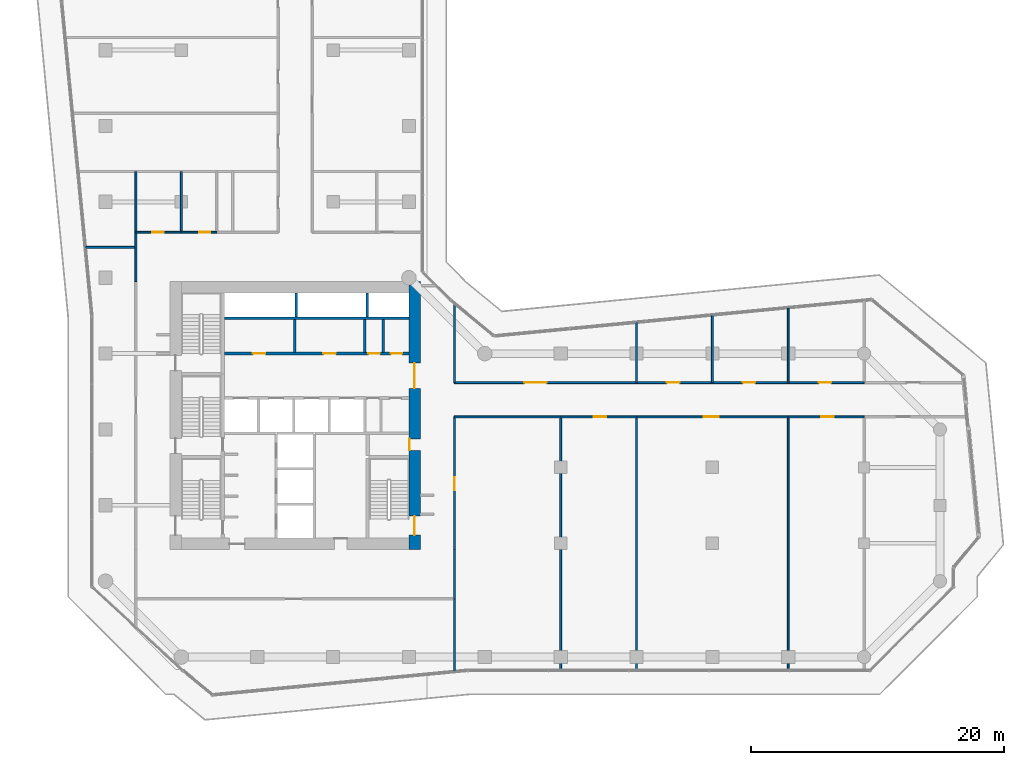
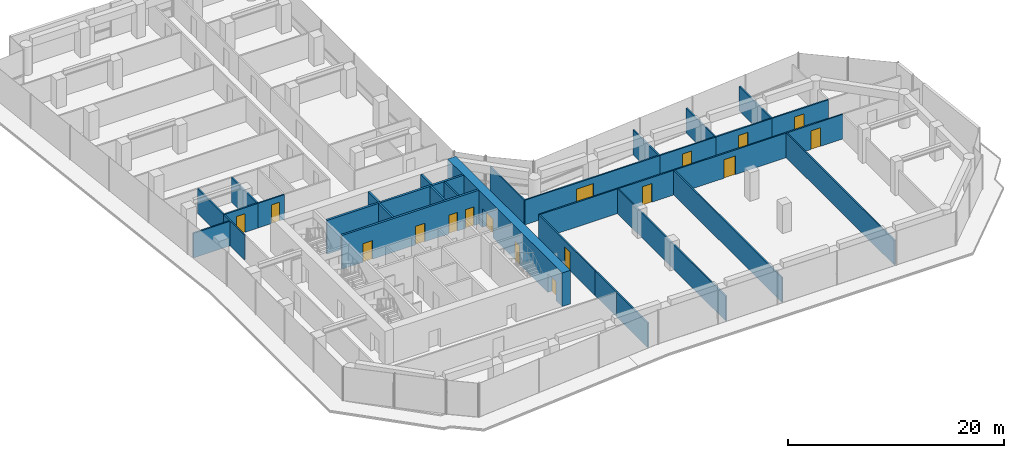
# One storey, part 25 of 30: 32 walls, 17 doors, 17 openings.
"""IFC4 building model written with IfcOpenShell, lengths in metres."""

from ifc_helpers import new_model, si_unit, direction, frame, frame_2d, origin, place, context, subcontext, project, spatial, rectangle, extrude, material, layer, layer_set, type_object, element, fill, save


model = new_model("IFC4")

# Units and contexts
model_context = context("Model", 3, precision=1e-05, world=origin(), true_north=direction((0.0, 1.0)))
body_context = subcontext(model_context, "Body", "Model", "MODEL_VIEW")
ifc_project = project(units=[si_unit("LENGTHUNIT", "METRE"), si_unit("AREAUNIT", "SQUARE_METRE"), si_unit("VOLUMEUNIT", "CUBIC_METRE"), si_unit("PLANEANGLEUNIT", "RADIAN"), si_unit("MASSUNIT", "GRAM", prefix="KILO")], contexts=[model_context])

# Site, building, storey
site_placement = place(None, origin())
site = spatial("IfcSite", under=ifc_project, at=site_placement, CompositionType="ELEMENT")
building_placement = place(site_placement, origin())
building = spatial("IfcBuilding", under=site, at=building_placement, Name="Welwitschia Terrace Campus", CompositionType="ELEMENT")
storey_placement = place(building_placement, frame((0.0, 0.0, 75.199951171875)))
storey = spatial("IfcBuildingStorey", under=building, at=storey_placement, Name="L17", CompositionType="ELEMENT", Elevation=75.199951171875)

# Walls
ifc_material_1 = material(Name="Concrete C32/40", Category="concrete")
ifc_layer_1 = layer(ifc_material_1, 0.175048828125)
ifc_layer_set_1 = layer_set([ifc_layer_1], Name="Concrete C32/40")
wall_type_1 = type_object("IfcWallType", Name="Core partition 175 Concrete C32/40", PredefinedType="PARTITIONING", material=ifc_layer_set_1)
for number, where, z_axis, x_axis, name in (
    (1, (14.97509765625, 20.10009765625, 0.0), (0.0, 0.0, 1.0), (0.0, 1.0, 0.0), "Core partition"),
    (2, (21.9599609375, 20.10009765625, 0.0), (0.0, 0.0, 1.0), (0.0, 1.0, 0.0), "Core partition"),
):
    element("IfcWall", number, at=place(storey_placement, frame(where, z_axis=z_axis, x_axis=x_axis)), inside=storey, type_object=wall_type_1, Name=name, PredefinedType="PARTITIONING", context=body_context, shape_type="SweptSolid", body=[
        extrude(rectangle(XDim=2.599853515625, YDim=0.175048828125, at=frame_2d((1.2998046875, 0.0))), origin(), (0.0, 0.0, 1.0), 3.800048828125),
    ])

# Wall, openings, doors
ifc_material_2 = material(Name="Concrete C32/40", Category="concrete")
ifc_layer_2 = layer(ifc_material_2, 0.22509765625)
ifc_layer_set_2 = layer_set([ifc_layer_2], Name="Concrete C32/40")
wall_type_2 = type_object("IfcWallType", Name="Core partition 225 Concrete C32/40", PredefinedType="PARTITIONING", material=ifc_layer_set_2)
wall_1_placement = place(storey_placement, frame((24.0, 20.0, 0.0), z_axis=(0.0, 0.0, 1.0), x_axis=(-1.0, 0.0, 0.0)))
wall_1 = element("IfcWall", 3, at=wall_1_placement, inside=storey, type_object=wall_type_2, Name="Core partition", PredefinedType="PARTITIONING", context=body_context, shape_type="SweptSolid", body=[
    extrude(rectangle(XDim=14.60009765625, YDim=0.22509765625, at=frame_2d((7.300048828125, 0.0))), origin(), (0.0, 0.0, 1.0), 3.800048828125),
])
opening_1_placement = place(wall_1_placement, frame((11.35009765625, 0.0, 0.0)))
opening_1 = element("IfcOpeningElement", 4, at=opening_1_placement, cuts=wall_1, Name="Opening DR10", PredefinedType="OPENING", context=body_context, shape_type="SweptSolid", body=[
    extrude(rectangle(XDim=1.0, YDim=2.10009765625, at=frame_2d((0.5, 1.050048828125))), frame((0.0, 0.12255859375, 0.0), z_axis=(0.0, -1.0, 0.0), x_axis=(1.0, 0.0, 0.0)), (0.0, 0.0, 1.0), 0.2451171875),
])
opening_2_placement = place(wall_1_placement, frame((5.77490234375, 0.0, 0.0)))
opening_2 = element("IfcOpeningElement", 5, at=opening_2_placement, cuts=wall_1, Name="Opening DR10", PredefinedType="OPENING", context=body_context, shape_type="SweptSolid", body=[
    extrude(rectangle(XDim=1.0, YDim=2.10009765625, at=frame_2d((0.5, 1.050048828125))), frame((0.0, 0.12255859375, 0.0), z_axis=(0.0, -1.0, 0.0), x_axis=(1.0, 0.0, 0.0)), (0.0, 0.0, 1.0), 0.2451171875),
])
opening_3_placement = place(wall_1_placement, frame((2.3076171875, 0.0, 0.0)))
opening_3 = element("IfcOpeningElement", 6, at=opening_3_placement, cuts=wall_1, Name="Opening DR09", PredefinedType="OPENING", context=body_context, shape_type="SweptSolid", body=[
    extrude(rectangle(XDim=0.89990234375, YDim=2.10009765625, at=frame_2d((0.449951171875, 1.050048828125))), frame((0.0, 0.12255859375, 0.0), z_axis=(0.0, -1.0, 0.0), x_axis=(1.0, 0.0, 0.0)), (0.0, 0.0, 1.0), 0.2451171875),
])
opening_4_placement = place(wall_1_placement, frame((0.532470703125, 0.0, 0.0)))
opening_4 = element("IfcOpeningElement", 7, at=opening_4_placement, cuts=wall_1, Name="Opening DR09", PredefinedType="OPENING", context=body_context, shape_type="SweptSolid", body=[
    extrude(rectangle(XDim=0.89990234375, YDim=2.10009765625, at=frame_2d((0.449951171875, 1.050048828125))), frame((0.0, 0.12255859375, 0.0), z_axis=(0.0, -1.0, 0.0), x_axis=(1.0, 0.0, 0.0)), (0.0, 0.0, 1.0), 0.2451171875),
])
ifc_material_3 = material(Name="Steel S275", Category="steel")
door_type_1 = type_object("IfcDoorType", Name="Core door DR09", OperationType="SINGLE_SWING_LEFT", PredefinedType="DOOR", material=ifc_material_3)
door_1_placement = place(opening_3_placement, origin())
door_1 = element("IfcDoor", 8, at=door_1_placement, inside=storey, type_object=door_type_1, Name="Door EH1-D", OperationType="SINGLE_SWING_LEFT", OverallHeight=2.10009765625, OverallWidth=0.89990234375, PredefinedType="DOOR", context=body_context, shape_type="SweptSolid", body=[
    extrude(rectangle(XDim=0.89990234375, YDim=2.10009765625, at=frame_2d((0.449951171875, 1.050048828125))), frame((0.0, 0.02490234375, 0.0), z_axis=(0.0, -1.0, 0.0), x_axis=(1.0, 0.0, 0.0)), (0.0, 0.0, 1.0), 0.050048828125),
])
fill(opening_3, door_1)
door_2_placement = place(opening_4_placement, origin())
door_2 = element("IfcDoor", 9, at=door_2_placement, inside=storey, type_object=door_type_1, Name="Door EH2-D", OperationType="SINGLE_SWING_LEFT", OverallHeight=2.10009765625, OverallWidth=0.89990234375, PredefinedType="DOOR", context=body_context, shape_type="SweptSolid", body=[
    extrude(rectangle(XDim=0.89990234375, YDim=2.10009765625, at=frame_2d((0.449951171875, 1.050048828125))), frame((0.0, 0.02490234375, 0.0), z_axis=(0.0, -1.0, 0.0), x_axis=(1.0, 0.0, 0.0)), (0.0, 0.0, 1.0), 0.050048828125),
])
fill(opening_4, door_2)
ifc_material_4 = material(Name="Steel S275", Category="steel")
door_type_2 = type_object("IfcDoorType", Name="Core door DR10", OperationType="SINGLE_SWING_LEFT", PredefinedType="DOOR", material=ifc_material_4)
door_3_placement = place(opening_1_placement, origin())
door_3 = element("IfcDoor", 10, at=door_3_placement, inside=storey, type_object=door_type_2, Name="Door BAYH1-D", OperationType="SINGLE_SWING_RIGHT", OverallHeight=2.10009765625, OverallWidth=1.0, PredefinedType="DOOR", context=body_context, shape_type="SweptSolid", body=[
    extrude(rectangle(XDim=1.0, YDim=2.10009765625, at=frame_2d((0.5, 1.050048828125))), frame((0.0, 0.02490234375, 0.0), z_axis=(0.0, -1.0, 0.0), x_axis=(1.0, 0.0, 0.0)), (0.0, 0.0, 1.0), 0.050048828125),
])
fill(opening_1, door_3)
door_4_placement = place(opening_2_placement, origin())
door_4 = element("IfcDoor", 11, at=door_4_placement, inside=storey, type_object=door_type_2, Name="Door BAYH2-D", OperationType="SINGLE_SWING_LEFT", OverallHeight=2.10009765625, OverallWidth=1.0, PredefinedType="DOOR", context=body_context, shape_type="SweptSolid", body=[
    extrude(rectangle(XDim=1.0, YDim=2.10009765625, at=frame_2d((0.5, 1.050048828125))), frame((0.0, 0.02490234375, 0.0), z_axis=(0.0, -1.0, 0.0), x_axis=(1.0, 0.0, 0.0)), (0.0, 0.0, 1.0), 0.050048828125),
])
fill(opening_2, door_4)

# Walls
wall_2_placement = place(storey_placement, frame((9.39990234375, 22.800048828125, 0.0), z_axis=(0.0, 0.0, 1.0), x_axis=(1.0, 0.0, 0.0)))
element("IfcWall", 12, at=wall_2_placement, inside=storey, type_object=wall_type_2, Name="Shaft wall", PredefinedType="PARTITIONING", context=body_context, shape_type="SweptSolid", body=[
    extrude(rectangle(XDim=14.60009765625, YDim=0.22509765625, at=frame_2d((7.300048828125, 0.0))), origin(), (0.0, 0.0, 1.0), 3.800048828125),
])
wall_3_placement = place(storey_placement, frame((20.5, 20.10009765625, 0.0), z_axis=(0.0, 0.0, 1.0), x_axis=(0.0, 1.0, 0.0)))
element("IfcWall", 13, at=wall_3_placement, inside=storey, type_object=wall_type_2, Name="Core partition", PredefinedType="PARTITIONING", context=body_context, shape_type="SweptSolid", body=[
    extrude(rectangle(XDim=2.599853515625, YDim=0.22509765625, at=frame_2d((1.2998046875, 0.0))), origin(), (0.0, 0.0, 1.0), 3.800048828125),
])
ifc_material_5 = material(Name="Concrete C50/60", Category="concrete")
ifc_layer_3 = layer(ifc_material_5, 0.199951171875)
ifc_layer_set_3 = layer_set([ifc_layer_3], Name="Concrete C50/60")
wall_type_3 = type_object("IfcWallType", Name="Core wall 200 Concrete C50/60", PredefinedType="SHEAR", material=ifc_layer_set_3)
for number, where, z_axis, x_axis, name in (
    (14, (15.10009765625, 22.89990234375, 0.0), (0.0, 0.0, 1.0), (0.0, 1.0, 0.0), "Core wall"),
    (15, (20.699951171875, 22.89990234375, 0.0), (0.0, 0.0, 1.0), (0.0, 1.0, 0.0), "Core wall"),
):
    element("IfcWall", number, at=place(storey_placement, frame(where, z_axis=z_axis, x_axis=x_axis)), inside=storey, type_object=wall_type_3, Name=name, PredefinedType="SHEAR", context=body_context, shape_type="SweptSolid", body=[
        extrude(rectangle(XDim=1.900146484375, YDim=0.199951171875, at=frame_2d((0.9501953125, 0.0))), origin(), (0.0, 0.0, 1.0), 3.800048828125),
    ])

# Wall, openings, doors
ifc_material_6 = material(Name="Concrete C70/85", Category="concrete")
ifc_layer_4 = layer(ifc_material_6, 0.89990234375)
ifc_layer_set_4 = layer_set([ifc_layer_4], Name="Concrete C70/85")
wall_type_4 = type_object("IfcWallType", Name="Core wall 900 Concrete C70/85", PredefinedType="SHEAR", material=ifc_layer_set_4)
wall_4_placement = place(storey_placement, frame((24.449951171875, 25.699951171875, 0.0), z_axis=(0.0, 0.0, 1.0), x_axis=(0.0, -1.0, 0.0)))
wall_4 = element("IfcWall", 16, at=wall_4_placement, inside=storey, type_object=wall_type_4, Name="Core outer wall", PredefinedType="SHEAR", context=body_context, shape_type="SweptSolid", body=[
    extrude(rectangle(XDim=21.199951171875, YDim=0.89990234375, at=frame_2d((10.60009765625, 0.0))), origin(), (0.0, 0.0, 1.0), 3.800048828125),
])
opening_5_placement = place(wall_4_placement, frame((18.550048828125, 0.0, 0.0)))
opening_5 = element("IfcOpeningElement", 17, at=opening_5_placement, cuts=wall_4, Name="Opening DS15", PredefinedType="OPENING", context=body_context, shape_type="SweptSolid", body=[
    extrude(rectangle(XDim=1.5, YDim=2.10009765625, at=frame_2d((0.75, 1.050048828125))), frame((0.0, 0.4599609375, 0.0), z_axis=(0.0, -1.0, 0.0), x_axis=(1.0, 0.0, 0.0)), (0.0, 0.0, 1.0), 0.919921875),
])
opening_6_placement = place(wall_4_placement, frame((12.449951171875, 0.0, 0.0)))
opening_6 = element("IfcOpeningElement", 18, at=opening_6_placement, cuts=wall_4, Name="Opening DR09", PredefinedType="OPENING", context=body_context, shape_type="SweptSolid", body=[
    extrude(rectangle(XDim=0.89990234375, YDim=2.10009765625, at=frame_2d((0.449951171875, 1.050048828125))), frame((0.0, 0.4599609375, 0.0), z_axis=(0.0, -1.0, 0.0), x_axis=(1.0, 0.0, 0.0)), (0.0, 0.0, 1.0), 0.919921875),
])
opening_7_placement = place(wall_4_placement, frame((6.449951171875, 0.0, 0.0)))
opening_7 = element("IfcOpeningElement", 19, at=opening_7_placement, cuts=wall_4, Name="Opening DL20", PredefinedType="OPENING", context=body_context, shape_type="SweptSolid", body=[
    extrude(rectangle(XDim=2.0, YDim=2.10009765625, at=frame_2d((1.0, 1.050048828125))), frame((0.0, 0.4599609375, 0.0), z_axis=(0.0, -1.0, 0.0), x_axis=(1.0, 0.0, 0.0)), (0.0, 0.0, 1.0), 0.919921875),
])
ifc_material_7 = material(Name="Steel S275", Category="steel")
door_type_3 = type_object("IfcDoorType", Name="Core door DL20", OperationType="DOUBLE_DOOR_SINGLE_SWING", PredefinedType="DOOR", material=ifc_material_7)
door_5_placement = place(opening_7_placement, origin())
door_5 = element("IfcDoor", 20, at=door_5_placement, inside=storey, type_object=door_type_3, Name="Door LOBBY-out", OperationType="DOUBLE_DOOR_SINGLE_SWING", OverallHeight=2.10009765625, OverallWidth=2.0, PredefinedType="DOOR", context=body_context, shape_type="SweptSolid", body=[
    extrude(rectangle(XDim=2.0, YDim=2.10009765625, at=frame_2d((1.0, 1.050048828125))), frame((0.0, 0.02490234375, 0.0), z_axis=(0.0, -1.0, 0.0), x_axis=(1.0, 0.0, 0.0)), (0.0, 0.0, 1.0), 0.050048828125),
])
fill(opening_7, door_5)
door_6_placement = place(opening_6_placement, origin())
door_6 = element("IfcDoor", 21, at=door_6_placement, inside=storey, type_object=door_type_1, Name="Door F1B-out", OperationType="SINGLE_SWING_RIGHT", OverallHeight=2.10009765625, OverallWidth=0.89990234375, PredefinedType="DOOR", context=body_context, shape_type="SweptSolid", body=[
    extrude(rectangle(XDim=0.89990234375, YDim=2.10009765625, at=frame_2d((0.449951171875, 1.050048828125))), frame((0.0, -0.39013671875, 0.0), z_axis=(0.0, -1.0, 0.0), x_axis=(1.0, 0.0, 0.0)), (0.0, 0.0, 1.0), 0.050048828125),
])
fill(opening_6, door_6)
ifc_material_8 = material(Name="Steel S275", Category="steel")
door_type_4 = type_object("IfcDoorType", Name="Core door DS15", OperationType="DOUBLE_DOOR_SINGLE_SWING", PredefinedType="DOOR", material=ifc_material_8)
door_7_placement = place(opening_5_placement, origin())
door_7 = element("IfcDoor", 22, at=door_7_placement, inside=storey, type_object=door_type_4, Name="Door S2-out", OperationType="DOUBLE_DOOR_SINGLE_SWING", OverallHeight=2.10009765625, OverallWidth=1.5, PredefinedType="DOOR", context=body_context, shape_type="SweptSolid", body=[
    extrude(rectangle(XDim=1.5, YDim=2.10009765625, at=frame_2d((0.75, 1.050048828125))), frame((0.0, 0.02490234375, 0.0), z_axis=(0.0, -1.0, 0.0), x_axis=(1.0, 0.0, 0.0)), (0.0, 0.0, 1.0), 0.050048828125),
])
fill(opening_5, door_7)

# Walls
ifc_material_9 = material(Name="Gypsum board on steel studs", Category="steel")
ifc_layer_5 = layer(ifc_material_9, 0.14990234375)
ifc_layer_set_5 = layer_set([ifc_layer_5], Name="Gypsum board on steel studs")
wall_type_5 = type_object("IfcWallType", Name="Corridor partition 150 EI 30", PredefinedType="PARTITIONING", material=ifc_layer_set_5)
wall_5_placement = place(storey_placement, frame((-1.590087890625, 28.39990234375, 0.0), z_axis=(0.0, 0.0, 1.0), x_axis=(1.0, 0.0, 0.0)))
element("IfcWall", 23, at=wall_5_placement, inside=storey, type_object=wall_type_5, Name="Partition", PredefinedType="PARTITIONING", context=body_context, shape_type="SweptSolid", body=[
    extrude(rectangle(XDim=3.989990234375, YDim=0.14990234375, at=frame_2d((1.9951171875, 0.0))), origin(), (0.0, 0.0, 1.0), 2.780029296875),
])
wall_6_placement = place(storey_placement, frame((2.39990234375, 25.699951171875, 0.0), z_axis=(0.0, 0.0, 1.0), x_axis=(0.0, 1.0, 0.0)))
element("IfcWall", 24, at=wall_6_placement, inside=storey, type_object=wall_type_5, Name="Partition", PredefinedType="PARTITIONING", context=body_context, shape_type="SweptSolid", body=[
    extrude(rectangle(XDim=3.900146484375, YDim=0.14990234375, at=frame_2d((1.9501953125, 0.0))), origin(), (0.0, 0.0, 1.0), 2.780029296875),
])
wall_7_placement = place(storey_placement, frame((2.39990234375, 29.60009765625, 0.0), z_axis=(0.0, 0.0, 1.0), x_axis=(0.0, 1.0, 0.0)))
element("IfcWall", 25, at=wall_7_placement, inside=storey, type_object=wall_type_5, Name="Partition", PredefinedType="PARTITIONING", context=body_context, shape_type="SweptSolid", body=[
    extrude(rectangle(XDim=4.7998046875, YDim=0.14990234375, at=frame_2d((2.39990234375, 0.0))), origin(), (0.0, 0.0, 1.0), 2.780029296875),
])

# Wall, opening, door
wall_8_placement = place(storey_placement, frame((2.39990234375, 29.60009765625, 0.0), z_axis=(0.0, 0.0, 1.0), x_axis=(1.0, 0.0, 0.0)))
wall_8 = element("IfcWall", 26, at=wall_8_placement, inside=storey, type_object=wall_type_5, Name="Partition", PredefinedType="PARTITIONING", context=body_context, shape_type="SweptSolid", body=[
    extrude(rectangle(XDim=3.60009765625, YDim=0.14990234375, at=frame_2d((1.800048828125, 0.0))), origin(), (0.0, 0.0, 1.0), 2.780029296875),
])
opening_8_placement = place(wall_8_placement, frame((1.300048828125, 0.0, 0.0)))
opening_8 = element("IfcOpeningElement", 27, at=opening_8_placement, cuts=wall_8, Name="Opening DI09", PredefinedType="OPENING", context=body_context, shape_type="SweptSolid", body=[
    extrude(rectangle(XDim=0.89990234375, YDim=2.10009765625, at=frame_2d((0.449951171875, 1.050048828125))), frame((0.0, 0.0849609375, 0.0), z_axis=(0.0, -1.0, 0.0), x_axis=(1.0, 0.0, 0.0)), (0.0, 0.0, 1.0), 0.169921875),
])
ifc_material_10 = material(Name="Timber veneered door", Category="wood")
door_type_5 = type_object("IfcDoorType", Name="Interior door DI09", OperationType="NOTDEFINED", PredefinedType="DOOR", material=ifc_material_10)
door_8_placement = place(opening_8_placement, origin())
door_8 = element("IfcDoor", 28, at=door_8_placement, inside=storey, type_object=door_type_5, Name="Door L17 385", OperationType="SINGLE_SWING_RIGHT", OverallHeight=2.10009765625, OverallWidth=0.89990234375, PredefinedType="DOOR", context=body_context, shape_type="SweptSolid", body=[
    extrude(rectangle(XDim=0.89990234375, YDim=2.10009765625, at=frame_2d((0.449951171875, 1.050048828125))), frame((0.0, 0.02490234375, 0.0), z_axis=(0.0, -1.0, 0.0), x_axis=(1.0, 0.0, 0.0)), (0.0, 0.0, 1.0), 0.050048828125),
])
fill(opening_8, door_8)

# Wall
wall_9_placement = place(storey_placement, frame((6.0, 29.60009765625, 0.0), z_axis=(0.0, 0.0, 1.0), x_axis=(0.0, 1.0, 0.0)))
element("IfcWall", 29, at=wall_9_placement, inside=storey, type_object=wall_type_5, Name="Partition", PredefinedType="PARTITIONING", context=body_context, shape_type="SweptSolid", body=[
    extrude(rectangle(XDim=4.7998046875, YDim=0.14990234375, at=frame_2d((2.39990234375, 0.0))), origin(), (0.0, 0.0, 1.0), 2.780029296875),
])

# Wall, opening, door
wall_10_placement = place(storey_placement, frame((6.0, 29.60009765625, 0.0), z_axis=(0.0, 0.0, 1.0), x_axis=(1.0, 0.0, 0.0)))
wall_10 = element("IfcWall", 30, at=wall_10_placement, inside=storey, type_object=wall_type_5, Name="Partition", PredefinedType="PARTITIONING", context=body_context, shape_type="SweptSolid", body=[
    extrude(rectangle(XDim=2.800048828125, YDim=0.14990234375, at=frame_2d((1.39990234375, 0.0))), origin(), (0.0, 0.0, 1.0), 2.780029296875),
])
opening_9_placement = place(wall_10_placement, frame((1.39990234375, 0.0, 0.0)))
opening_9 = element("IfcOpeningElement", 31, at=opening_9_placement, cuts=wall_10, Name="Opening DI09", PredefinedType="OPENING", context=body_context, shape_type="SweptSolid", body=[
    extrude(rectangle(XDim=0.89990234375, YDim=2.10009765625, at=frame_2d((0.449951171875, 1.050048828125))), frame((0.0, 0.0849609375, 0.0), z_axis=(0.0, -1.0, 0.0), x_axis=(1.0, 0.0, 0.0)), (0.0, 0.0, 1.0), 0.169921875),
])
door_9_placement = place(opening_9_placement, origin())
door_9 = element("IfcDoor", 32, at=door_9_placement, inside=storey, type_object=door_type_5, Name="Door L17 386", OperationType="SINGLE_SWING_LEFT", OverallHeight=2.10009765625, OverallWidth=0.89990234375, PredefinedType="DOOR", context=body_context, shape_type="SweptSolid", body=[
    extrude(rectangle(XDim=0.89990234375, YDim=2.10009765625, at=frame_2d((0.449951171875, 1.050048828125))), frame((0.0, 0.02490234375, 0.0), z_axis=(0.0, -1.0, 0.0), x_axis=(1.0, 0.0, 0.0)), (0.0, 0.0, 1.0), 0.050048828125),
])
fill(opening_9, door_9)

# Walls
wall_11_placement = place(storey_placement, frame((27.60009765625, -5.169921875, 0.0), z_axis=(0.0, 0.0, 1.0), x_axis=(0.0, 1.0, 0.0)))
element("IfcWall", 33, at=wall_11_placement, inside=storey, type_object=wall_type_5, Name="Partition", PredefinedType="PARTITIONING", context=body_context, shape_type="SweptSolid", body=[
    extrude(rectangle(XDim=5.77001953125, YDim=0.14990234375, at=frame_2d((2.885009765625, 0.0))), origin(), (0.0, 0.0, 1.0), 2.780029296875),
])
wall_12_placement = place(storey_placement, frame((27.60009765625, 0.60009765625, 0.0), z_axis=(0.0, 0.0, 1.0), x_axis=(0.0, 1.0, 0.0)))
element("IfcWall", 34, at=wall_12_placement, inside=storey, type_object=wall_type_5, Name="Partition", PredefinedType="PARTITIONING", context=body_context, shape_type="SweptSolid", body=[
    extrude(rectangle(XDim=3.89990234375, YDim=0.14990234375, at=frame_2d((1.949951171875, 0.0))), origin(), (0.0, 0.0, 1.0), 2.780029296875),
])

# Wall, opening, door
wall_13_placement = place(storey_placement, frame((27.60009765625, 15.0, 0.0), z_axis=(0.0, 0.0, 1.0), x_axis=(0.0, -1.0, 0.0)))
wall_13 = element("IfcWall", 35, at=wall_13_placement, inside=storey, type_object=wall_type_5, Name="Partition", PredefinedType="PARTITIONING", context=body_context, shape_type="SweptSolid", body=[
    extrude(rectangle(XDim=10.5, YDim=0.14990234375, at=frame_2d((5.25, 0.0))), origin(), (0.0, 0.0, 1.0), 2.780029296875),
])
opening_10_placement = place(wall_13_placement, frame((4.800048828125, 0.0, 0.0)))
opening_10 = element("IfcOpeningElement", 36, at=opening_10_placement, cuts=wall_13, Name="Opening DI10", PredefinedType="OPENING", context=body_context, shape_type="SweptSolid", body=[
    extrude(rectangle(XDim=1.0, YDim=2.10009765625, at=frame_2d((0.5, 1.050048828125))), frame((0.0, 0.0849609375, 0.0), z_axis=(0.0, -1.0, 0.0), x_axis=(1.0, 0.0, 0.0)), (0.0, 0.0, 1.0), 0.169921875),
])
ifc_material_11 = material(Name="Timber veneered door", Category="wood")
door_type_6 = type_object("IfcDoorType", Name="Interior door DI10", OperationType="NOTDEFINED", PredefinedType="DOOR", material=ifc_material_11)
door_10_placement = place(opening_10_placement, origin())
door_10 = element("IfcDoor", 37, at=door_10_placement, inside=storey, type_object=door_type_6, Name="Door L17 399", OperationType="SINGLE_SWING_RIGHT", OverallHeight=2.10009765625, OverallWidth=1.0, PredefinedType="DOOR", context=body_context, shape_type="SweptSolid", body=[
    extrude(rectangle(XDim=1.0, YDim=2.10009765625, at=frame_2d((0.5, 1.050048828125))), frame((0.0, 0.02490234375, 0.0), z_axis=(0.0, -1.0, 0.0), x_axis=(1.0, 0.0, 0.0)), (0.0, 0.0, 1.0), 0.050048828125),
])
fill(opening_10, door_10)

# Walls
wall_14_placement = place(storey_placement, frame((27.60009765625, 15.0, 0.0), z_axis=(0.0, 0.0, 1.0), x_axis=(1.0, 0.0, 0.0)))
element("IfcWall", 38, at=wall_14_placement, inside=storey, type_object=wall_type_5, Name="Partition", PredefinedType="PARTITIONING", context=body_context, shape_type="SweptSolid", body=[
    extrude(rectangle(XDim=8.39990234375, YDim=0.14990234375, at=frame_2d((4.199951171875, 0.0))), origin(), (0.0, 0.0, 1.0), 2.780029296875),
])
wall_15_placement = place(storey_placement, frame((27.60009765625, 17.699951171875, 0.0), z_axis=(0.0, 0.0, 1.0), x_axis=(0.0, 1.0, 0.0)))
element("IfcWall", 39, at=wall_15_placement, inside=storey, type_object=wall_type_5, Name="Partition", PredefinedType="PARTITIONING", context=body_context, shape_type="SweptSolid", body=[
    extrude(rectangle(XDim=6.27001953125, YDim=0.14990234375, at=frame_2d((3.135009765625, 0.0))), origin(), (0.0, 0.0, 1.0), 2.780029296875),
])
for number, where, z_axis, x_axis, name in (
    (40, (36.0, -5.06005859375, 0.0), (0.0, 0.0, 1.0), (0.0, 1.0, 0.0), "Partition"),
    (41, (42.0, -5.06005859375, 0.0), (0.0, 0.0, 1.0), (0.0, 1.0, 0.0), "Partition"),
):
    element("IfcWall", number, at=place(storey_placement, frame(where, z_axis=z_axis, x_axis=x_axis)), inside=storey, type_object=wall_type_5, Name=name, PredefinedType="PARTITIONING", context=body_context, shape_type="SweptSolid", body=[
        extrude(rectangle(XDim=20.06005859375, YDim=0.14990234375, at=frame_2d((10.030029296875, 0.0))), origin(), (0.0, 0.0, 1.0), 2.780029296875),
    ])

# Wall, opening, door
wall_16_placement = place(storey_placement, frame((42.0, 15.0, 0.0), z_axis=(0.0, 0.0, 1.0), x_axis=(-1.0, 0.0, 0.0)))
wall_16 = element("IfcWall", 42, at=wall_16_placement, inside=storey, type_object=wall_type_5, Name="Partition", PredefinedType="PARTITIONING", context=body_context, shape_type="SweptSolid", body=[
    extrude(rectangle(XDim=6.0, YDim=0.14990234375, at=frame_2d((3.0, 0.0))), origin(), (0.0, 0.0, 1.0), 2.780029296875),
])
opening_11_placement = place(wall_16_placement, frame((2.39990234375, 0.0, 0.0)))
opening_11 = element("IfcOpeningElement", 43, at=opening_11_placement, cuts=wall_16, Name="Opening DI10", PredefinedType="OPENING", context=body_context, shape_type="SweptSolid", body=[
    extrude(rectangle(XDim=1.0, YDim=2.10009765625, at=frame_2d((0.5, 1.050048828125))), frame((0.0, 0.0849609375, 0.0), z_axis=(0.0, -1.0, 0.0), x_axis=(1.0, 0.0, 0.0)), (0.0, 0.0, 1.0), 0.169921875),
])
door_11_placement = place(opening_11_placement, origin())
door_11 = element("IfcDoor", 44, at=door_11_placement, inside=storey, type_object=door_type_6, Name="Door L17 400", OperationType="SINGLE_SWING_LEFT", OverallHeight=2.10009765625, OverallWidth=1.0, PredefinedType="DOOR", context=body_context, shape_type="SweptSolid", body=[
    extrude(rectangle(XDim=1.0, YDim=2.10009765625, at=frame_2d((0.5, 1.050048828125))), frame((0.0, 0.02490234375, 0.0), z_axis=(0.0, -1.0, 0.0), x_axis=(1.0, 0.0, 0.0)), (0.0, 0.0, 1.0), 0.050048828125),
])
fill(opening_11, door_11)

wall_17_placement = place(storey_placement, frame((42.0, 17.699951171875, 0.0), z_axis=(0.0, 0.0, 1.0), x_axis=(-1.0, 0.0, 0.0)))
wall_17 = element("IfcWall", 45, at=wall_17_placement, inside=storey, type_object=wall_type_5, Name="Partition", PredefinedType="PARTITIONING", context=body_context, shape_type="SweptSolid", body=[
    extrude(rectangle(XDim=14.39990234375, YDim=0.14990234375, at=frame_2d((7.199951171875, 0.0))), origin(), (0.0, 0.0, 1.0), 2.780029296875),
])
opening_12_placement = place(wall_17_placement, frame((7.10009765625, 0.0, 0.0)))
opening_12 = element("IfcOpeningElement", 46, at=opening_12_placement, cuts=wall_17, Name="Opening DI18", PredefinedType="OPENING", context=body_context, shape_type="SweptSolid", body=[
    extrude(rectangle(XDim=1.800048828125, YDim=2.10009765625, at=frame_2d((0.89990234375, 1.050048828125))), frame((0.0, 0.0849609375, 0.0), z_axis=(0.0, -1.0, 0.0), x_axis=(1.0, 0.0, 0.0)), (0.0, 0.0, 1.0), 0.169921875),
])
ifc_material_12 = material(Name="Timber veneered door", Category="wood")
door_type_7 = type_object("IfcDoorType", Name="Interior door DI18", OperationType="DOUBLE_DOOR_SINGLE_SWING", PredefinedType="DOOR", material=ifc_material_12)
door_12_placement = place(opening_12_placement, origin())
door_12 = element("IfcDoor", 47, at=door_12_placement, inside=storey, type_object=door_type_7, Name="Door L17 401", OperationType="SINGLE_SWING_LEFT", OverallHeight=2.10009765625, OverallWidth=1.800048828125, PredefinedType="DOOR", context=body_context, shape_type="SweptSolid", body=[
    extrude(rectangle(XDim=1.800048828125, YDim=2.10009765625, at=frame_2d((0.89990234375, 1.050048828125))), frame((0.0, 0.02490234375, 0.0), z_axis=(0.0, -1.0, 0.0), x_axis=(1.0, 0.0, 0.0)), (0.0, 0.0, 1.0), 0.050048828125),
])
fill(opening_12, door_12)

# Wall
wall_18_placement = place(storey_placement, frame((42.0, 17.699951171875, 0.0), z_axis=(0.0, 0.0, 1.0), x_axis=(0.0, 1.0, 0.0)))
element("IfcWall", 48, at=wall_18_placement, inside=storey, type_object=wall_type_5, Name="Partition", PredefinedType="PARTITIONING", context=body_context, shape_type="SweptSolid", body=[
    extrude(rectangle(XDim=4.77001953125, YDim=0.14990234375, at=frame_2d((2.385009765625, 0.0))), origin(), (0.0, 0.0, 1.0), 2.780029296875),
])

# Wall, opening, door
wall_19_placement = place(storey_placement, frame((42.0, 17.699951171875, 0.0), z_axis=(0.0, 0.0, 1.0), x_axis=(1.0, 0.0, 0.0)))
wall_19 = element("IfcWall", 49, at=wall_19_placement, inside=storey, type_object=wall_type_5, Name="Partition", PredefinedType="PARTITIONING", context=body_context, shape_type="SweptSolid", body=[
    extrude(rectangle(XDim=6.0, YDim=0.14990234375, at=frame_2d((3.0, 0.0))), origin(), (0.0, 0.0, 1.0), 2.780029296875),
])
opening_13_placement = place(wall_19_placement, frame((2.39990234375, 0.0, 0.0)))
opening_13 = element("IfcOpeningElement", 50, at=opening_13_placement, cuts=wall_19, Name="Opening DI10", PredefinedType="OPENING", context=body_context, shape_type="SweptSolid", body=[
    extrude(rectangle(XDim=1.0, YDim=2.10009765625, at=frame_2d((0.5, 1.050048828125))), frame((0.0, 0.0849609375, 0.0), z_axis=(0.0, -1.0, 0.0), x_axis=(1.0, 0.0, 0.0)), (0.0, 0.0, 1.0), 0.169921875),
])
door_13_placement = place(opening_13_placement, origin())
door_13 = element("IfcDoor", 51, at=door_13_placement, inside=storey, type_object=door_type_6, Name="Door L17 402", OperationType="SINGLE_SWING_LEFT", OverallHeight=2.10009765625, OverallWidth=1.0, PredefinedType="DOOR", context=body_context, shape_type="SweptSolid", body=[
    extrude(rectangle(XDim=1.0, YDim=2.10009765625, at=frame_2d((0.5, 1.050048828125))), frame((0.0, 0.02490234375, 0.0), z_axis=(0.0, -1.0, 0.0), x_axis=(1.0, 0.0, 0.0)), (0.0, 0.0, 1.0), 0.050048828125),
])
fill(opening_13, door_13)

# Wall
wall_20_placement = place(storey_placement, frame((48.0, 17.699951171875, 0.0), z_axis=(0.0, 0.0, 1.0), x_axis=(0.0, 1.0, 0.0)))
element("IfcWall", 52, at=wall_20_placement, inside=storey, type_object=wall_type_5, Name="Partition", PredefinedType="PARTITIONING", context=body_context, shape_type="SweptSolid", body=[
    extrude(rectangle(XDim=5.35009765625, YDim=0.14990234375, at=frame_2d((2.675048828125, 0.0))), origin(), (0.0, 0.0, 1.0), 2.780029296875),
])

# Wall, opening, door
wall_21_placement = place(storey_placement, frame((48.0, 17.699951171875, 0.0), z_axis=(0.0, 0.0, 1.0), x_axis=(1.0, 0.0, 0.0)))
wall_21 = element("IfcWall", 53, at=wall_21_placement, inside=storey, type_object=wall_type_5, Name="Partition", PredefinedType="PARTITIONING", context=body_context, shape_type="SweptSolid", body=[
    extrude(rectangle(XDim=6.0, YDim=0.14990234375, at=frame_2d((3.0, 0.0))), origin(), (0.0, 0.0, 1.0), 2.780029296875),
])
opening_14_placement = place(wall_21_placement, frame((2.39990234375, 0.0, 0.0)))
opening_14 = element("IfcOpeningElement", 54, at=opening_14_placement, cuts=wall_21, Name="Opening DI10", PredefinedType="OPENING", context=body_context, shape_type="SweptSolid", body=[
    extrude(rectangle(XDim=1.0, YDim=2.10009765625, at=frame_2d((0.5, 1.050048828125))), frame((0.0, 0.0849609375, 0.0), z_axis=(0.0, -1.0, 0.0), x_axis=(1.0, 0.0, 0.0)), (0.0, 0.0, 1.0), 0.169921875),
])
door_14_placement = place(opening_14_placement, origin())
door_14 = element("IfcDoor", 55, at=door_14_placement, inside=storey, type_object=door_type_6, Name="Door L17 403", OperationType="SINGLE_SWING_RIGHT", OverallHeight=2.10009765625, OverallWidth=1.0, PredefinedType="DOOR", context=body_context, shape_type="SweptSolid", body=[
    extrude(rectangle(XDim=1.0, YDim=2.10009765625, at=frame_2d((0.5, 1.050048828125))), frame((0.0, 0.02490234375, 0.0), z_axis=(0.0, -1.0, 0.0), x_axis=(1.0, 0.0, 0.0)), (0.0, 0.0, 1.0), 0.050048828125),
])
fill(opening_14, door_14)

# Wall
wall_22_placement = place(storey_placement, frame((54.0, -5.049072265625, 0.0), z_axis=(0.0, 0.0, 1.0), x_axis=(0.0, 1.0, 0.0)))
element("IfcWall", 56, at=wall_22_placement, inside=storey, type_object=wall_type_5, Name="Partition", PredefinedType="PARTITIONING", context=body_context, shape_type="SweptSolid", body=[
    extrude(rectangle(XDim=20.049072265625, YDim=0.14990234375, at=frame_2d((10.0244140625, 0.0))), origin(), (0.0, 0.0, 1.0), 2.780029296875),
])

# Wall, opening, door
wall_23_placement = place(storey_placement, frame((54.0, 15.0, 0.0), z_axis=(0.0, 0.0, 1.0), x_axis=(-1.0, 0.0, 0.0)))
wall_23 = element("IfcWall", 57, at=wall_23_placement, inside=storey, type_object=wall_type_5, Name="Partition", PredefinedType="PARTITIONING", context=body_context, shape_type="SweptSolid", body=[
    extrude(rectangle(XDim=12.0, YDim=0.14990234375, at=frame_2d((6.0, 0.0))), origin(), (0.0, 0.0, 1.0), 2.780029296875),
])
opening_15_placement = place(wall_23_placement, frame((5.5, 0.0, 0.0)))
opening_15 = element("IfcOpeningElement", 58, at=opening_15_placement, cuts=wall_23, Name="Opening DI12", PredefinedType="OPENING", context=body_context, shape_type="SweptSolid", body=[
    extrude(rectangle(XDim=1.199951171875, YDim=2.10009765625, at=frame_2d((0.60009765625, 1.050048828125))), frame((0.0, 0.0849609375, 0.0), z_axis=(0.0, -1.0, 0.0), x_axis=(1.0, 0.0, 0.0)), (0.0, 0.0, 1.0), 0.169921875),
])
ifc_material_13 = material(Name="Timber veneered door", Category="wood")
door_type_8 = type_object("IfcDoorType", Name="Interior door DI12", OperationType="NOTDEFINED", PredefinedType="DOOR", material=ifc_material_13)
door_15_placement = place(opening_15_placement, origin())
door_15 = element("IfcDoor", 59, at=door_15_placement, inside=storey, type_object=door_type_8, Name="Door L17 404", OperationType="SINGLE_SWING_LEFT", OverallHeight=2.10009765625, OverallWidth=1.199951171875, PredefinedType="DOOR", context=body_context, shape_type="SweptSolid", body=[
    extrude(rectangle(XDim=1.199951171875, YDim=2.10009765625, at=frame_2d((0.60009765625, 1.050048828125))), frame((0.0, 0.02490234375, 0.0), z_axis=(0.0, -1.0, 0.0), x_axis=(1.0, 0.0, 0.0)), (0.0, 0.0, 1.0), 0.050048828125),
])
fill(opening_15, door_15)

# Wall
wall_24_placement = place(storey_placement, frame((54.0, 17.699951171875, 0.0), z_axis=(0.0, 0.0, 1.0), x_axis=(0.0, 1.0, 0.0)))
element("IfcWall", 60, at=wall_24_placement, inside=storey, type_object=wall_type_5, Name="Partition", PredefinedType="PARTITIONING", context=body_context, shape_type="SweptSolid", body=[
    extrude(rectangle(XDim=5.920166015625, YDim=0.14990234375, at=frame_2d((2.9599609375, 0.0))), origin(), (0.0, 0.0, 1.0), 2.780029296875),
])

# Wall, opening, door
wall_25_placement = place(storey_placement, frame((54.0, 17.699951171875, 0.0), z_axis=(0.0, 0.0, 1.0), x_axis=(1.0, 0.0, 0.0)))
wall_25 = element("IfcWall", 61, at=wall_25_placement, inside=storey, type_object=wall_type_5, Name="Partition", PredefinedType="PARTITIONING", context=body_context, shape_type="SweptSolid", body=[
    extrude(rectangle(XDim=6.0, YDim=0.14990234375, at=frame_2d((3.0, 0.0))), origin(), (0.0, 0.0, 1.0), 2.780029296875),
])
opening_16_placement = place(wall_25_placement, frame((2.39990234375, 0.0, 0.0)))
opening_16 = element("IfcOpeningElement", 62, at=opening_16_placement, cuts=wall_25, Name="Opening DI10", PredefinedType="OPENING", context=body_context, shape_type="SweptSolid", body=[
    extrude(rectangle(XDim=1.0, YDim=2.10009765625, at=frame_2d((0.5, 1.050048828125))), frame((0.0, 0.0849609375, 0.0), z_axis=(0.0, -1.0, 0.0), x_axis=(1.0, 0.0, 0.0)), (0.0, 0.0, 1.0), 0.169921875),
])
door_16_placement = place(opening_16_placement, origin())
door_16 = element("IfcDoor", 63, at=door_16_placement, inside=storey, type_object=door_type_6, Name="Door L17 405", OperationType="SINGLE_SWING_RIGHT", OverallHeight=2.10009765625, OverallWidth=1.0, PredefinedType="DOOR", context=body_context, shape_type="SweptSolid", body=[
    extrude(rectangle(XDim=1.0, YDim=2.10009765625, at=frame_2d((0.5, 1.050048828125))), frame((0.0, 0.02490234375, 0.0), z_axis=(0.0, -1.0, 0.0), x_axis=(1.0, 0.0, 0.0)), (0.0, 0.0, 1.0), 0.050048828125),
])
fill(opening_16, door_16)

wall_26_placement = place(storey_placement, frame((60.0, 15.0, 0.0), z_axis=(0.0, 0.0, 1.0), x_axis=(-1.0, 0.0, 0.0)))
wall_26 = element("IfcWall", 64, at=wall_26_placement, inside=storey, type_object=wall_type_5, Name="Partition", PredefinedType="PARTITIONING", context=body_context, shape_type="SweptSolid", body=[
    extrude(rectangle(XDim=6.0, YDim=0.14990234375, at=frame_2d((3.0, 0.0))), origin(), (0.0, 0.0, 1.0), 2.780029296875),
])
opening_17_placement = place(wall_26_placement, frame((2.39990234375, 0.0, 0.0)))
opening_17 = element("IfcOpeningElement", 65, at=opening_17_placement, cuts=wall_26, Name="Opening DI10", PredefinedType="OPENING", context=body_context, shape_type="SweptSolid", body=[
    extrude(rectangle(XDim=1.0, YDim=2.10009765625, at=frame_2d((0.5, 1.050048828125))), frame((0.0, 0.0849609375, 0.0), z_axis=(0.0, -1.0, 0.0), x_axis=(1.0, 0.0, 0.0)), (0.0, 0.0, 1.0), 0.169921875),
])
door_17_placement = place(opening_17_placement, origin())
door_17 = element("IfcDoor", 66, at=door_17_placement, inside=storey, type_object=door_type_6, Name="Door L17 406", OperationType="SINGLE_SWING_LEFT", OverallHeight=2.10009765625, OverallWidth=1.0, PredefinedType="DOOR", context=body_context, shape_type="SweptSolid", body=[
    extrude(rectangle(XDim=1.0, YDim=2.10009765625, at=frame_2d((0.5, 1.050048828125))), frame((0.0, 0.02490234375, 0.0), z_axis=(0.0, -1.0, 0.0), x_axis=(1.0, 0.0, 0.0)), (0.0, 0.0, 1.0), 0.050048828125),
])
fill(opening_17, door_17)

save(model, "model.ifc")
